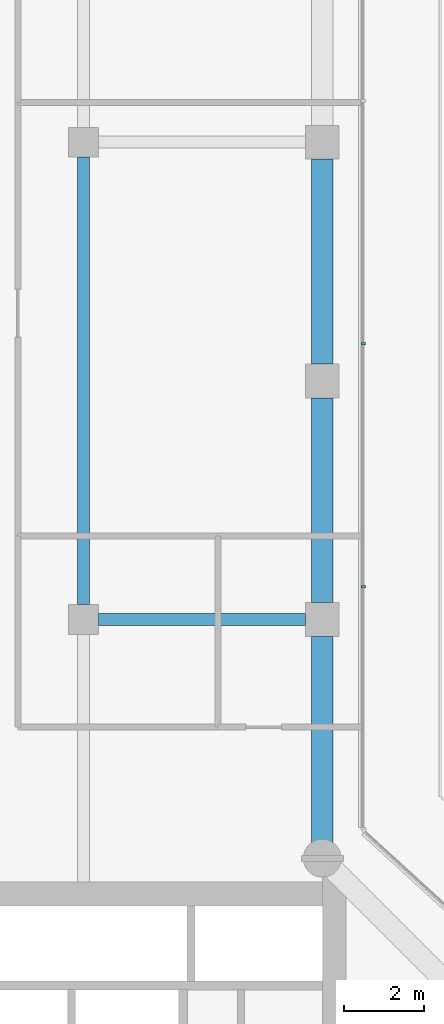
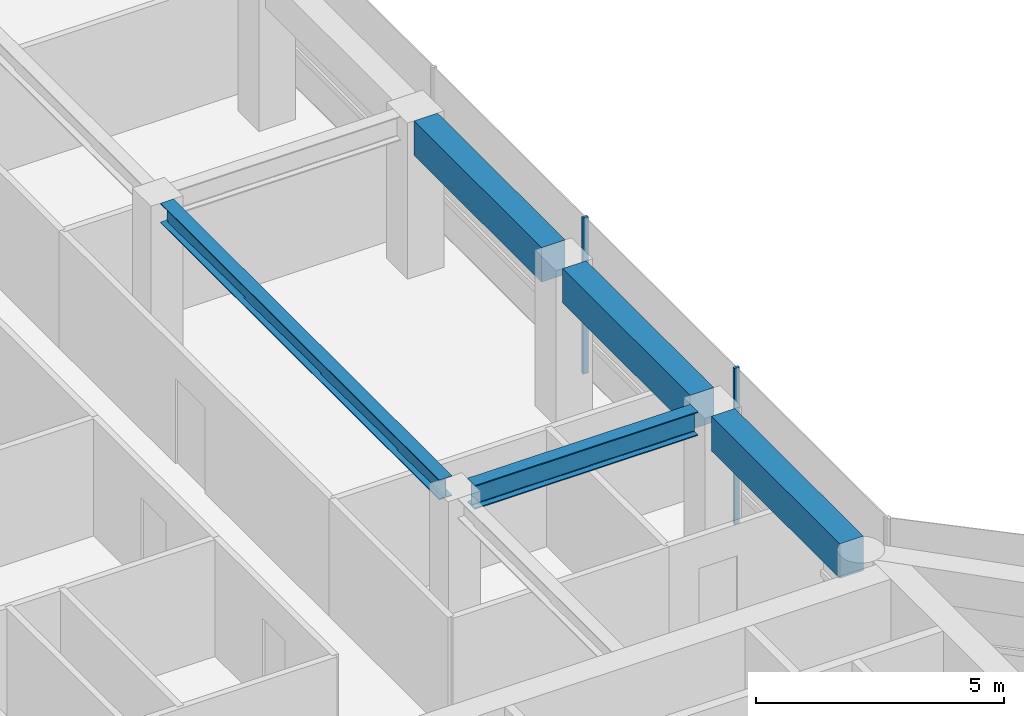
# One storey, part 10 of 21: 5 beams, 2 members, 1 element without a shape of its own.
"""IFC4 building model written with IfcOpenShell, lengths in metres."""

from ifc_helpers import new_model, si_unit, direction, frame, origin, origin_2d, place, context, subcontext, project, spatial, rectangle, i_section, extrude, material, layer, layer_set, material_profile, profile_set, type_object, element, aggregate, save


model = new_model("IFC4")

# Units and contexts
model_context = context("Model", 3, precision=1e-05, world=origin(), true_north=direction((0.0, 1.0)))
body_context = subcontext(model_context, "Body", "Model", "MODEL_VIEW")
ifc_project = project(units=[si_unit("LENGTHUNIT", "METRE"), si_unit("AREAUNIT", "SQUARE_METRE"), si_unit("VOLUMEUNIT", "CUBIC_METRE"), si_unit("PLANEANGLEUNIT", "RADIAN"), si_unit("MASSUNIT", "GRAM", prefix="KILO")], contexts=[model_context])

# Site, building, storey
site_placement = place(None, origin())
site = spatial("IfcSite", under=ifc_project, at=site_placement, CompositionType="ELEMENT")
building_placement = place(site_placement, origin())
building = spatial("IfcBuilding", under=site, at=building_placement, Name="Welwitschia Terrace Campus", CompositionType="ELEMENT")
storey_placement = place(building_placement, frame((0.0, 0.0, 180.199951171875)))
storey = spatial("IfcBuildingStorey", under=building, at=storey_placement, Name="L40", CompositionType="ELEMENT", Elevation=180.199951171875)

# Beam
ifc_material_1 = material(Name="Steel S355", Category="steel")
ifc_material_profile_1 = material_profile(ifc_material_1, i_section(OverallWidth=0.300048828125, OverallDepth=0.489990234375, WebThickness=0.011962890625, FlangeThickness=0.02294921875, FilletRadius=0.027099609375, at=origin_2d()))
ifc_profile_set_1 = profile_set([ifc_material_profile_1], Name="Steel S355")
beam_type_1 = type_object("IfcBeamType", Name="Interior girder HE 500 A", PredefinedType="BEAM", material=ifc_profile_set_1)
beam_1_placement = place(storey_placement, frame((18.0, 32.37548828125, 3.60498046875), z_axis=(0.0, 1.0, 0.0), x_axis=(-1.0, 0.0, 0.0)))
element("IfcBeam", 1, at=beam_1_placement, inside=storey, type_object=beam_type_1, Name="Girder GB4", PredefinedType="BEAM", context=body_context, shape_type="SweptSolid", body=[
    extrude(i_section(OverallWidth=0.300048828125, OverallDepth=0.489990234375, WebThickness=0.011962890625, FlangeThickness=0.02294921875, FilletRadius=0.027099609375, at=origin_2d()), origin(), (0.0, 0.0, 1.0), 11.2490234375),
])

# Curtain wall, members
ifc_material_2 = material(Name="Bronze anodised aluminium", Category="aluminium")
ifc_layer = layer(ifc_material_2, 0.1201171875)
ifc_layer_set = layer_set([ifc_layer], Name="Bronze anodised aluminium")
curtain_wall_type = type_object("IfcCurtainWallType", Name="Curtain wall CW2 tower 6000", PredefinedType="NOTDEFINED", material=ifc_layer_set)
curtain_wall_placement = place(storey_placement, origin())
curtain_wall = element("IfcCurtainWall", 2, at=curtain_wall_placement, inside=storey, type_object=curtain_wall_type, Name="CW L40.7.0", PredefinedType="NOTDEFINED")
ifc_material_3 = material(Name="Bronze anodised aluminium", Category="aluminium")
ifc_material_profile_2 = material_profile(ifc_material_3, rectangle(XDim=0.1201171875, YDim=0.06005859375, at=origin_2d()))
ifc_profile_set_2 = profile_set([ifc_material_profile_2], Name="Bronze anodised aluminium")
member_type = type_object("IfcMemberType", Name="Mullion 60x120", PredefinedType="MULLION", material=ifc_profile_set_2)
member_1_placement = place(storey_placement, frame((25.030029296875, 32.826171875, 0.0), z_axis=(0.0, 0.0, 1.0), x_axis=(-1.0, 0.0, 0.0)))
member_1 = element("IfcMember", 3, at=member_1_placement, type_object=member_type, Name="Mullion L40.7.0.1", PredefinedType="MULLION", context=body_context, shape_type="SweptSolid", body=[
    extrude(rectangle(XDim=0.1201171875, YDim=0.06005859375, at=origin_2d()), origin(), (0.0, 0.0, 1.0), 3.85009765625),
])
member_2_placement = place(storey_placement, frame((25.030029296875, 38.933349609375, 0.0), z_axis=(0.0, 0.0, 1.0), x_axis=(-1.0, 0.0, 0.0)))
member_2 = element("IfcMember", 4, at=member_2_placement, type_object=member_type, Name="Mullion L40.7.0.2", PredefinedType="MULLION", context=body_context, shape_type="SweptSolid", body=[
    extrude(rectangle(XDim=0.1201171875, YDim=0.06005859375, at=origin_2d()), origin(), (0.0, 0.0, 1.0), 3.85009765625),
])
aggregate(curtain_wall, [member_1, member_2])

# Beams
ifc_material_4 = material(Name="Steel S355", Category="steel")
ifc_material_profile_3 = material_profile(ifc_material_4, i_section(OverallWidth=0.300048828125, OverallDepth=0.590087890625, WebThickness=0.012939453125, FlangeThickness=0.02490234375, FilletRadius=0.027099609375, at=origin_2d()))
ifc_profile_set_3 = profile_set([ifc_material_profile_3], Name="Steel S355")
beam_type_2 = type_object("IfcBeamType", Name="Primary beam HE 600 A", PredefinedType="BEAM", material=ifc_profile_set_3)
beam_2_placement = place(storey_placement, frame((23.574462890625, 32.0, 3.554931640625), z_axis=(-1.0, 0.0, 0.0), x_axis=(0.0, -1.0, 0.0)))
element("IfcBeam", 5, at=beam_2_placement, inside=storey, type_object=beam_type_2, Name="Primary beam PB4", PredefinedType="BEAM", context=body_context, shape_type="SweptSolid", body=[
    extrude(i_section(OverallWidth=0.300048828125, OverallDepth=0.590087890625, WebThickness=0.012939453125, FlangeThickness=0.02490234375, FilletRadius=0.027099609375, at=origin_2d()), origin(), (0.0, 0.0, 1.0), 5.198974609375),
])
ifc_material_5 = material(Name="Concrete C50/60", Category="concrete")
ifc_material_profile_4 = material_profile(ifc_material_5, rectangle(XDim=0.550048828125, YDim=0.85009765625, at=origin_2d()))
ifc_profile_set_4 = profile_set([ifc_material_profile_4], Name="Concrete C50/60")
beam_type_3 = type_object("IfcBeamType", Name="Ring spandrel 550x850", PredefinedType="SPANDREL", material=ifc_profile_set_4)
beam_3_placement = place(storey_placement, frame((24.0, 26.387939453125, 3.425048828125), z_axis=(0.0, 1.0, 0.0), x_axis=(-1.0, 0.0, 0.0)))
element("IfcBeam", 6, at=beam_3_placement, inside=storey, type_object=beam_type_3, Name="Spandrel SP3", PredefinedType="SPANDREL", context=body_context, shape_type="SweptSolid", body=[
    extrude(rectangle(XDim=0.550048828125, YDim=0.85009765625, at=origin_2d()), origin(), (0.0, 0.0, 1.0), 5.1865234375),
])
for number, where, z_axis, x_axis, name in (
    (7, (24.0, 32.425537109375, 3.425048828125), (0.0, 1.0, 0.0), (-1.0, 0.0, 0.0), "Spandrel SP3"),
    (8, (24.0, 38.425537109375, 3.425048828125), (0.0, 1.0, 0.0), (-1.0, 0.0, 0.0), "Spandrel SP3"),
):
    element("IfcBeam", number, at=place(storey_placement, frame(where, z_axis=z_axis, x_axis=x_axis)), inside=storey, type_object=beam_type_3, Name=name, PredefinedType="SPANDREL", context=body_context, shape_type="SweptSolid", body=[
        extrude(rectangle(XDim=0.550048828125, YDim=0.85009765625, at=origin_2d()), origin(), (0.0, 0.0, 1.0), 5.14892578125),
    ])

save(model, "model.ifc")
